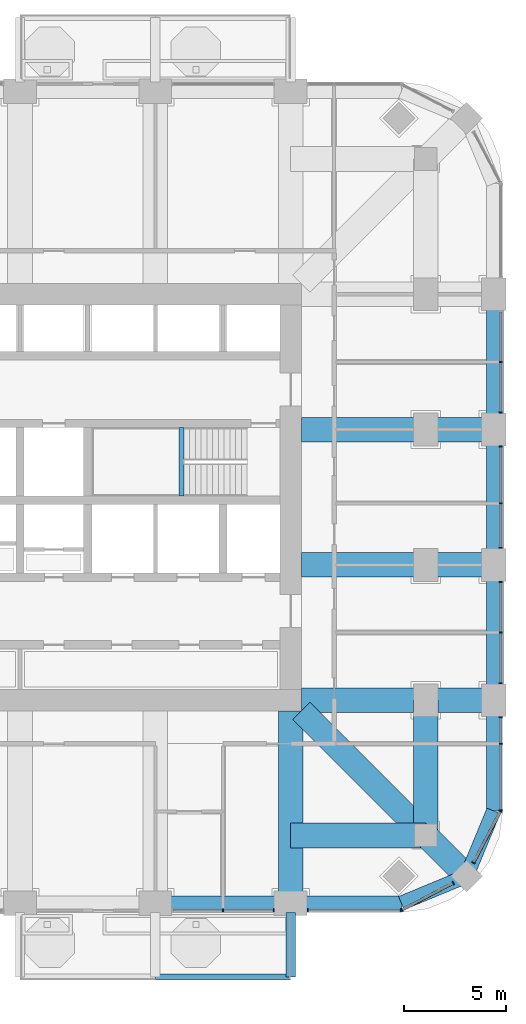
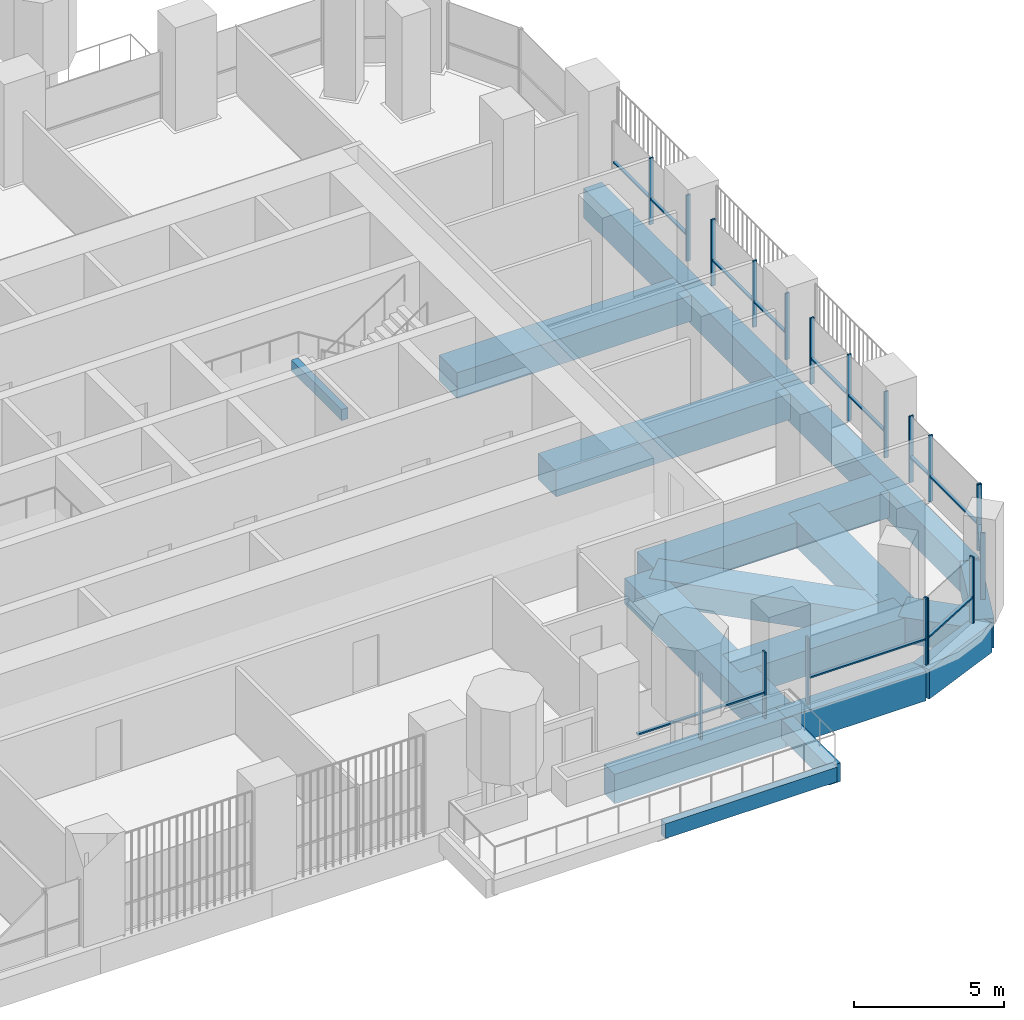
# One storey, part 5 of 20: 32 members, 19 beams, 8 elements without a shape of their own.
"""IFC4 building model written with IfcOpenShell, lengths in metres."""

from ifc_helpers import new_model, si_unit, direction, frame, origin, origin_2d, place, context, subcontext, project, spatial, rectangle, extrude, material, material_profile, profile_set, type_object, element, aggregate, save


model = new_model("IFC4")

# Units and contexts
model_context = context("Model", 3, precision=1e-05, world=origin(), true_north=direction((0.0, 1.0)))
body_context = subcontext(model_context, "Body", "Model", "MODEL_VIEW")
ifc_project = project(units=[si_unit("LENGTHUNIT", "METRE"), si_unit("AREAUNIT", "SQUARE_METRE"), si_unit("VOLUMEUNIT", "CUBIC_METRE"), si_unit("PLANEANGLEUNIT", "RADIAN"), si_unit("MASSUNIT", "GRAM", prefix="KILO")], contexts=[model_context])

# Site, building, storey
site_placement = place(None, origin())
site = spatial("IfcSite", under=ifc_project, at=site_placement, CompositionType="ELEMENT")
building_placement = place(site_placement, origin())
building = spatial("IfcBuilding", under=site, at=building_placement, Name="Cobogo Forest Laboratory Tower", CompositionType="ELEMENT")
storey_placement = place(building_placement, frame((0.0, 0.0, 180.89990234375)))
storey = spatial("IfcBuildingStorey", under=building, at=storey_placement, Name="L41", CompositionType="ELEMENT", Elevation=180.89990234375)

# Beams
ifc_material_1 = material(Name="Concrete HA-40 (C40/50)", Category="concrete")
ifc_material_profile_1 = material_profile(ifc_material_1, rectangle(XDim=0.449951171875, YDim=0.75, at=origin_2d()), Name="RC 450x750")
ifc_profile_set_1 = profile_set([ifc_material_profile_1], Name="Concrete HA-40 (C40/50)")
beam_type_1 = type_object("IfcBeamType", Name="Balcony cantilever beam 450x750", PredefinedType="BEAM", material=ifc_profile_set_1)
beam_1_placement = place(storey_placement, frame((39.60009765625, 2.85009765625, -0.625), z_axis=(0.0, -1.0, 0.0), x_axis=(1.0, 0.0, 0.0)))
element("IfcBeam", 1, at=beam_1_placement, inside=storey, type_object=beam_type_1, Name="CB1 BAL-S1-C3 L41", PredefinedType="BEAM", context=body_context, shape_type="SweptSolid", body=[
    extrude(rectangle(XDim=0.449951171875, YDim=0.75, at=origin_2d()), origin(), (0.0, 0.0, 1.0), 3.150146484375),
])
ifc_material_profile_2 = material_profile(ifc_material_1, rectangle(XDim=0.300048828125, YDim=0.60009765625, at=origin_2d()), Name="RC 300x600")
ifc_profile_set_2 = profile_set([ifc_material_profile_2], Name="Concrete HA-40 (C40/50)")
beam_type_2 = type_object("IfcBeamType", Name="Balcony edge beam 300x600", PredefinedType="BEAM", material=ifc_profile_set_2)
beam_2_placement = place(storey_placement, frame((33.0, -0.300048828125, -0.5498046875), z_axis=(1.0, 0.0, 0.0), x_axis=(0.0, 1.0, 0.0)))
element("IfcBeam", 2, at=beam_2_placement, inside=storey, type_object=beam_type_2, Name="BB1 BAL-S1-T2 L41", PredefinedType="BEAM", context=body_context, shape_type="SweptSolid", body=[
    extrude(rectangle(XDim=0.300048828125, YDim=0.60009765625, at=origin_2d()), origin(), (0.0, 0.0, 1.0), 6.60009765625),
])
ifc_material_profile_3 = material_profile(ifc_material_1, rectangle(XDim=0.25, YDim=0.449951171875, at=origin_2d()), Name="RC 250x450")
ifc_profile_set_3 = profile_set([ifc_material_profile_3], Name="Concrete HA-40 (C40/50)")
beam_type_3 = type_object("IfcBeamType", Name="LB1 landing beam 250x450", PredefinedType="BEAM", material=ifc_profile_set_3)
beam_3_placement = place(storey_placement, frame((34.27001953125, 23.14990234375, 1.675048828125), z_axis=(0.0, 1.0, 0.0), x_axis=(-1.0, 0.0, 0.0)))
element("IfcBeam", 3, at=beam_3_placement, inside=storey, type_object=beam_type_3, Name="Landing beam ST2 L41", PredefinedType="BEAM", context=body_context, shape_type="SweptSolid", body=[
    extrude(rectangle(XDim=0.25, YDim=0.449951171875, at=origin_2d()), origin(), (0.0, 0.0, 1.0), 3.35009765625),
])
ifc_material_profile_4 = material_profile(ifc_material_1, rectangle(XDim=1.199951171875, YDim=1.050048828125, at=origin_2d()), Name="RC 1200x1050")
ifc_profile_set_4 = profile_set([ifc_material_profile_4], Name="Concrete HA-40 (C40/50)")
beam_type_4 = type_object("IfcBeamType", Name="Laboratory floor wide beam 1200x1050", PredefinedType="BEAM", material=ifc_profile_set_4)
for number, where, z_axis, x_axis, name in (
    (4, (39.60009765625, 12.675048828125, -0.824951171875), (0.0, -1.0, 0.0), (1.0, 0.0, 0.0), "RB1 R-7-S L41"),
    (5, (40.125, 13.199951171875, -0.824951171875), (1.0, 0.0, 0.0), (0.0, 1.0, 0.0), "RB1 R-C-E L41"),
    (6, (40.125, 19.800048828125, -0.824951171875), (1.0, 0.0, 0.0), (0.0, 1.0, 0.0), "RB1 R-D-E L41"),
    (7, (40.125, 26.39990234375, -0.824951171875), (1.0, 0.0, 0.0), (0.0, 1.0, 0.0), "RB1 R-E-E L41"),
):
    element("IfcBeam", number, at=place(storey_placement, frame(where, z_axis=z_axis, x_axis=x_axis)), inside=storey, type_object=beam_type_4, Name=name, PredefinedType="BEAM", context=body_context, shape_type="SweptSolid", body=[
        extrude(rectangle(XDim=1.199951171875, YDim=1.050048828125, at=origin_2d()), origin(), (0.0, 0.0, 1.0), 9.375),
    ])
for number, where, z_axis, x_axis, name in (
    (8, (46.199951171875, 6.60009765625, -0.824951171875), (0.0, 1.0, 0.0), (-1.0, 0.0, 0.0), "RB1 G-SE-XC L41"),
    (9, (46.199951171875, 6.60009765625, -0.824951171875), (-1.0, 0.0, 0.0), (0.0, -1.0, 0.0), "RB1 G-SE-YC L41"),
):
    element("IfcBeam", number, at=place(storey_placement, frame(where, z_axis=z_axis, x_axis=x_axis)), inside=storey, type_object=beam_type_4, Name=name, PredefinedType="BEAM", context=body_context, shape_type="SweptSolid", body=[
        extrude(rectangle(XDim=1.199951171875, YDim=1.050048828125, at=origin_2d()), origin(), (0.0, 0.0, 1.0), 6.599853515625),
    ])
beam_4_placement = place(storey_placement, frame((48.181884765625, 4.617919921875, -0.824951171875), z_axis=(-0.707063230743, 0.707150328948, 0.0), x_axis=(-0.707150328948, -0.707063230743, 0.0)))
element("IfcBeam", 10, at=beam_4_placement, inside=storey, type_object=beam_type_4, Name="RB1 G-SE-D1 L41", PredefinedType="BEAM", context=body_context, shape_type="SweptSolid", body=[
    extrude(rectangle(XDim=1.199951171875, YDim=1.050048828125, at=origin_2d()), origin(), (0.0, 0.0, 1.0), 2.802978515625),
])
beam_5_placement = place(storey_placement, frame((46.199951171875, 6.60009765625, -0.824951171875), z_axis=(-0.707106781187, 0.707106781187, 0.0), x_axis=(-0.707106781187, -0.707106781187, 0.0)))
element("IfcBeam", 11, at=beam_5_placement, inside=storey, type_object=beam_type_4, Name="RB1 G-SE-D2 L41", PredefinedType="BEAM", context=body_context, shape_type="SweptSolid", body=[
    extrude(rectangle(XDim=1.199951171875, YDim=1.050048828125, at=origin_2d()), origin(), (0.0, 0.0, 1.0), 8.59130859375),
])

# Curtain wall, members
ifc_material_2 = material(Name="Aluminium curtain wall", Category="aluminium")
curtain_wall_type = type_object("IfcCurtainWallType", Name="CW-2 unitised curtain wall, solar control glazing, laboratory floors zones C and D", PredefinedType="USERDEFINED", material=ifc_material_2)
curtain_wall_1_placement = place(storey_placement, origin())
curtain_wall_1 = element("IfcCurtainWall", 12, at=curtain_wall_1_placement, inside=storey, type_object=curtain_wall_type, Name="Curtain wall 05 L41", ObjectType="UNITISED CURTAIN WALL", PredefinedType="USERDEFINED")
ifc_material_3 = material(Name="Aluminium mullion", Category="aluminium")
ifc_material_profile_5 = material_profile(ifc_material_3, rectangle(XDim=0.06005859375, YDim=0.159912109375, at=origin_2d()), Name="AL 60x160")
ifc_profile_set_5 = profile_set([ifc_material_profile_5], Name="Aluminium mullion")
member_type_1 = type_object("IfcMemberType", Name="MU-1 aluminium mullion 60x160", PredefinedType="MULLION", material=ifc_profile_set_5)
member_1_placement = place(storey_placement, frame((36.300048828125, 2.949951171875, 0.0), z_axis=(0.0, 0.0, 1.0), x_axis=(1.0, 0.0, 0.0)))
member_1 = element("IfcMember", 13, at=member_1_placement, type_object=member_type_1, Name="CW-2 mullion 2", PredefinedType="MULLION", context=body_context, shape_type="SweptSolid", body=[
    extrude(rectangle(XDim=0.06005859375, YDim=0.159912109375, at=origin_2d()), origin(), (0.0, 0.0, 1.0), 2.7001953125),
])
member_2_placement = place(storey_placement, frame((38.77001953125, 2.949951171875, 0.0), z_axis=(0.0, 0.0, 1.0), x_axis=(1.0, 0.0, 0.0)))
member_2 = element("IfcMember", 14, at=member_2_placement, type_object=member_type_1, Name="CW-2 mullion 3", PredefinedType="MULLION", context=body_context, shape_type="SweptSolid", body=[
    extrude(rectangle(XDim=0.06005859375, YDim=0.159912109375, at=origin_2d()), origin(), (0.0, 0.0, 1.0), 2.7001953125),
])

curtain_wall_2_placement = place(storey_placement, origin())
curtain_wall_2 = element("IfcCurtainWall", 15, at=curtain_wall_2_placement, inside=storey, type_object=curtain_wall_type, Name="Curtain wall 06 L41", ObjectType="UNITISED CURTAIN WALL", PredefinedType="USERDEFINED")
member_3_placement = place(storey_placement, frame((40.429931640625, 2.949951171875, 0.0), z_axis=(0.0, 0.0, 1.0), x_axis=(1.0, 0.0, 0.0)))
member_3 = element("IfcMember", 16, at=member_3_placement, type_object=member_type_1, Name="CW-2 mullion 1", PredefinedType="MULLION", context=body_context, shape_type="SweptSolid", body=[
    extrude(rectangle(XDim=0.06005859375, YDim=0.159912109375, at=origin_2d()), origin(), (0.0, 0.0, 1.0), 2.7001953125),
])
member_4_placement = place(storey_placement, frame((44.969970703125, 2.949951171875, 0.0), z_axis=(0.0, 0.0, 1.0), x_axis=(1.0, 0.0, 0.0)))
member_4 = element("IfcMember", 17, at=member_4_placement, type_object=member_type_1, Name="CW-2 mullion 2", PredefinedType="MULLION", context=body_context, shape_type="SweptSolid", body=[
    extrude(rectangle(XDim=0.06005859375, YDim=0.159912109375, at=origin_2d()), origin(), (0.0, 0.0, 1.0), 2.7001953125),
])

curtain_wall_3_placement = place(storey_placement, origin())
curtain_wall_3 = element("IfcCurtainWall", 18, at=curtain_wall_3_placement, inside=storey, type_object=curtain_wall_type, Name="Curtain wall 07 L41", ObjectType="UNITISED CURTAIN WALL", PredefinedType="USERDEFINED")
member_5_placement = place(storey_placement, frame((45.026611328125, 2.9638671875, 0.0), z_axis=(0.0, 0.0, 1.0), x_axis=(0.885686484356, 0.464283804832, 0.0)))
member_5 = element("IfcMember", 19, at=member_5_placement, type_object=member_type_1, Name="CW-2 mullion 1", PredefinedType="MULLION", context=body_context, shape_type="SweptSolid", body=[
    extrude(rectangle(XDim=0.06005859375, YDim=0.159912109375, at=origin_2d()), origin(), (0.0, 0.0, 1.0), 2.7001953125),
])
member_6_placement = place(storey_placement, frame((47.5244140625, 4.2734375, 0.0), z_axis=(0.0, 0.0, 1.0), x_axis=(0.885686484356, 0.464283804832, 0.0)))
member_6 = element("IfcMember", 20, at=member_6_placement, type_object=member_type_1, Name="CW-2 mullion 2", PredefinedType="MULLION", context=body_context, shape_type="SweptSolid", body=[
    extrude(rectangle(XDim=0.06005859375, YDim=0.159912109375, at=origin_2d()), origin(), (0.0, 0.0, 1.0), 2.7001953125),
])

curtain_wall_4_placement = place(storey_placement, origin())
curtain_wall_4 = element("IfcCurtainWall", 21, at=curtain_wall_4_placement, inside=storey, type_object=curtain_wall_type, Name="Curtain wall 08 L41", ObjectType="UNITISED CURTAIN WALL", PredefinedType="USERDEFINED")
member_7_placement = place(storey_placement, frame((48.526611328125, 5.275634765625, 0.0), z_axis=(0.0, 0.0, 1.0), x_axis=(0.464283804832, 0.885686484356, 0.0)))
member_7 = element("IfcMember", 22, at=member_7_placement, type_object=member_type_1, Name="CW-2 mullion 1", PredefinedType="MULLION", context=body_context, shape_type="SweptSolid", body=[
    extrude(rectangle(XDim=0.06005859375, YDim=0.159912109375, at=origin_2d()), origin(), (0.0, 0.0, 1.0), 2.7001953125),
])
member_8_placement = place(storey_placement, frame((49.836181640625, 7.7734375, 0.0), z_axis=(0.0, 0.0, 1.0), x_axis=(0.464283804832, 0.885686484356, 0.0)))
member_8 = element("IfcMember", 23, at=member_8_placement, type_object=member_type_1, Name="CW-2 mullion 2", PredefinedType="MULLION", context=body_context, shape_type="SweptSolid", body=[
    extrude(rectangle(XDim=0.06005859375, YDim=0.159912109375, at=origin_2d()), origin(), (0.0, 0.0, 1.0), 2.7001953125),
])

curtain_wall_5_placement = place(storey_placement, origin())
curtain_wall_5 = element("IfcCurtainWall", 24, at=curtain_wall_5_placement, inside=storey, type_object=curtain_wall_type, Name="Curtain wall 09 L41", ObjectType="UNITISED CURTAIN WALL", PredefinedType="USERDEFINED")
member_9_placement = place(storey_placement, frame((49.85009765625, 7.830078125, 0.0), z_axis=(0.0, 0.0, 1.0), x_axis=(0.0, 1.0, 0.0)))
member_9 = element("IfcMember", 25, at=member_9_placement, type_object=member_type_1, Name="CW-2 mullion 1", PredefinedType="MULLION", context=body_context, shape_type="SweptSolid", body=[
    extrude(rectangle(XDim=0.06005859375, YDim=0.159912109375, at=origin_2d()), origin(), (0.0, 0.0, 1.0), 2.7001953125),
])
member_10_placement = place(storey_placement, frame((49.85009765625, 11.074951171875, 0.0), z_axis=(0.0, 0.0, 1.0), x_axis=(0.0, 1.0, 0.0)))
member_10 = element("IfcMember", 26, at=member_10_placement, type_object=member_type_1, Name="CW-2 mullion 2", PredefinedType="MULLION", context=body_context, shape_type="SweptSolid", body=[
    extrude(rectangle(XDim=0.06005859375, YDim=0.159912109375, at=origin_2d()), origin(), (0.0, 0.0, 1.0), 2.7001953125),
])
member_11_placement = place(storey_placement, frame((49.85009765625, 12.3701171875, 0.0), z_axis=(0.0, 0.0, 1.0), x_axis=(0.0, 1.0, 0.0)))
member_11 = element("IfcMember", 27, at=member_11_placement, type_object=member_type_1, Name="CW-2 mullion 3", PredefinedType="MULLION", context=body_context, shape_type="SweptSolid", body=[
    extrude(rectangle(XDim=0.06005859375, YDim=0.159912109375, at=origin_2d()), origin(), (0.0, 0.0, 1.0), 2.7001953125),
])

curtain_wall_6_placement = place(storey_placement, origin())
curtain_wall_6 = element("IfcCurtainWall", 28, at=curtain_wall_6_placement, inside=storey, type_object=curtain_wall_type, Name="Curtain wall 10 L41", ObjectType="UNITISED CURTAIN WALL", PredefinedType="USERDEFINED")
member_12_placement = place(storey_placement, frame((49.85009765625, 14.030029296875, 0.0), z_axis=(0.0, 0.0, 1.0), x_axis=(0.0, 1.0, 0.0)))
member_12 = element("IfcMember", 29, at=member_12_placement, type_object=member_type_1, Name="CW-2 mullion 1", PredefinedType="MULLION", context=body_context, shape_type="SweptSolid", body=[
    extrude(rectangle(XDim=0.06005859375, YDim=0.159912109375, at=origin_2d()), origin(), (0.0, 0.0, 1.0), 2.7001953125),
])
member_13_placement = place(storey_placement, frame((49.85009765625, 16.5, 0.0), z_axis=(0.0, 0.0, 1.0), x_axis=(0.0, 1.0, 0.0)))
member_13 = element("IfcMember", 30, at=member_13_placement, type_object=member_type_1, Name="CW-2 mullion 2", PredefinedType="MULLION", context=body_context, shape_type="SweptSolid", body=[
    extrude(rectangle(XDim=0.06005859375, YDim=0.159912109375, at=origin_2d()), origin(), (0.0, 0.0, 1.0), 2.7001953125),
])
member_14_placement = place(storey_placement, frame((49.85009765625, 18.969970703125, 0.0), z_axis=(0.0, 0.0, 1.0), x_axis=(0.0, 1.0, 0.0)))
member_14 = element("IfcMember", 31, at=member_14_placement, type_object=member_type_1, Name="CW-2 mullion 3", PredefinedType="MULLION", context=body_context, shape_type="SweptSolid", body=[
    extrude(rectangle(XDim=0.06005859375, YDim=0.159912109375, at=origin_2d()), origin(), (0.0, 0.0, 1.0), 2.7001953125),
])

curtain_wall_7_placement = place(storey_placement, origin())
curtain_wall_7 = element("IfcCurtainWall", 32, at=curtain_wall_7_placement, inside=storey, type_object=curtain_wall_type, Name="Curtain wall 11 L41", ObjectType="UNITISED CURTAIN WALL", PredefinedType="USERDEFINED")
member_15_placement = place(storey_placement, frame((49.85009765625, 20.6298828125, 0.0), z_axis=(0.0, 0.0, 1.0), x_axis=(0.0, 1.0, 0.0)))
member_15 = element("IfcMember", 33, at=member_15_placement, type_object=member_type_1, Name="CW-2 mullion 1", PredefinedType="MULLION", context=body_context, shape_type="SweptSolid", body=[
    extrude(rectangle(XDim=0.06005859375, YDim=0.159912109375, at=origin_2d()), origin(), (0.0, 0.0, 1.0), 2.7001953125),
])
member_16_placement = place(storey_placement, frame((49.85009765625, 22.800048828125, 0.0), z_axis=(0.0, 0.0, 1.0), x_axis=(0.0, 1.0, 0.0)))
member_16 = element("IfcMember", 34, at=member_16_placement, type_object=member_type_1, Name="CW-2 mullion 2", PredefinedType="MULLION", context=body_context, shape_type="SweptSolid", body=[
    extrude(rectangle(XDim=0.06005859375, YDim=0.159912109375, at=origin_2d()), origin(), (0.0, 0.0, 1.0), 2.7001953125),
])
member_17_placement = place(storey_placement, frame((49.85009765625, 25.570068359375, 0.0), z_axis=(0.0, 0.0, 1.0), x_axis=(0.0, 1.0, 0.0)))
member_17 = element("IfcMember", 35, at=member_17_placement, type_object=member_type_1, Name="CW-2 mullion 3", PredefinedType="MULLION", context=body_context, shape_type="SweptSolid", body=[
    extrude(rectangle(XDim=0.06005859375, YDim=0.159912109375, at=origin_2d()), origin(), (0.0, 0.0, 1.0), 2.7001953125),
])

curtain_wall_8_placement = place(storey_placement, origin())
curtain_wall_8 = element("IfcCurtainWall", 36, at=curtain_wall_8_placement, inside=storey, type_object=curtain_wall_type, Name="Curtain wall 12 L41", ObjectType="UNITISED CURTAIN WALL", PredefinedType="USERDEFINED")
member_18_placement = place(storey_placement, frame((49.85009765625, 27.22998046875, 0.0), z_axis=(0.0, 0.0, 1.0), x_axis=(0.0, 1.0, 0.0)))
member_18 = element("IfcMember", 37, at=member_18_placement, type_object=member_type_1, Name="CW-2 mullion 1", PredefinedType="MULLION", context=body_context, shape_type="SweptSolid", body=[
    extrude(rectangle(XDim=0.06005859375, YDim=0.159912109375, at=origin_2d()), origin(), (0.0, 0.0, 1.0), 2.7001953125),
])
member_19_placement = place(storey_placement, frame((49.85009765625, 29.699951171875, 0.0), z_axis=(0.0, 0.0, 1.0), x_axis=(0.0, 1.0, 0.0)))
member_19 = element("IfcMember", 38, at=member_19_placement, type_object=member_type_1, Name="CW-2 mullion 2", PredefinedType="MULLION", context=body_context, shape_type="SweptSolid", body=[
    extrude(rectangle(XDim=0.06005859375, YDim=0.159912109375, at=origin_2d()), origin(), (0.0, 0.0, 1.0), 2.7001953125),
])

# Beams
ifc_material_profile_6 = material_profile(ifc_material_1, rectangle(XDim=0.699951171875, YDim=1.199951171875, at=origin_2d()), Name="RC 700x1200")
ifc_profile_set_6 = profile_set([ifc_material_profile_6], Name="Concrete HA-40 (C40/50)")
beam_type_5 = type_object("IfcBeamType", Name="Perimeter edge beam 700x1200", PredefinedType="BEAM", material=ifc_profile_set_6)
for number, where, z_axis, x_axis, name in (
    (39, (33.0, 3.300048828125, -0.89990234375), (1.0, 0.0, 0.0), (0.0, 1.0, 0.0), "EB1 E-S4 L41"),
    (40, (49.5, 13.199951171875, -0.89990234375), (0.0, 1.0, 0.0), (-1.0, 0.0, 0.0), "EB1 E-E1 L41"),
):
    element("IfcBeam", number, at=place(storey_placement, frame(where, z_axis=z_axis, x_axis=x_axis)), inside=storey, type_object=beam_type_5, Name=name, PredefinedType="BEAM", context=body_context, shape_type="SweptSolid", body=[
        extrude(rectangle(XDim=0.699951171875, YDim=1.199951171875, at=origin_2d()), origin(), (0.0, 0.0, 1.0), 6.60009765625),
    ])
beam_6_placement = place(storey_placement, frame((49.5, 19.800048828125, -0.89990234375), z_axis=(0.0, 1.0, 0.0), x_axis=(-1.0, 0.0, 0.0)))
element("IfcBeam", 41, at=beam_6_placement, inside=storey, type_object=beam_type_5, Name="EB1 E-E2 L41", PredefinedType="BEAM", context=body_context, shape_type="SweptSolid", body=[
    extrude(rectangle(XDim=0.699951171875, YDim=1.199951171875, at=origin_2d()), origin(), (0.0, 0.0, 1.0), 6.599853515625),
])
beam_7_placement = place(storey_placement, frame((49.5, 26.39990234375, -0.89990234375), z_axis=(0.0, 1.0, 0.0), x_axis=(-1.0, 0.0, 0.0)))
element("IfcBeam", 42, at=beam_7_placement, inside=storey, type_object=beam_type_5, Name="EB1 E-E3 L41", PredefinedType="BEAM", context=body_context, shape_type="SweptSolid", body=[
    extrude(rectangle(XDim=0.699951171875, YDim=1.199951171875, at=origin_2d()), origin(), (0.0, 0.0, 1.0), 6.60009765625),
])
beam_8_placement = place(storey_placement, frame((39.60009765625, 3.300048828125, -0.89990234375), z_axis=(1.0, 0.0, 0.0), x_axis=(0.0, 1.0, 0.0)))
element("IfcBeam", 43, at=beam_8_placement, inside=storey, type_object=beam_type_5, Name="EB1 E-SES1 L41", PredefinedType="BEAM", context=body_context, shape_type="SweptSolid", body=[
    extrude(rectangle(XDim=0.699951171875, YDim=1.199951171875, at=origin_2d()), origin(), (0.0, 0.0, 1.0), 5.39990234375),
])
beam_9_placement = place(storey_placement, frame((45.0, 3.300048828125, -0.89990234375), z_axis=(0.923890694089, 0.382656484822, 0.0), x_axis=(-0.382656484822, 0.923890694089, 0.0)))
element("IfcBeam", 44, at=beam_9_placement, inside=storey, type_object=beam_type_5, Name="EB1 E-SES2 L41", PredefinedType="BEAM", context=body_context, shape_type="SweptSolid", body=[
    extrude(rectangle(XDim=0.699951171875, YDim=1.199951171875, at=origin_2d()), origin(), (0.0, 0.0, 1.0), 3.444091796875),
])
beam_10_placement = place(storey_placement, frame((49.5, 13.199951171875, -0.89990234375), z_axis=(0.0, -1.0, 0.0), x_axis=(1.0, 0.0, 0.0)))
element("IfcBeam", 45, at=beam_10_placement, inside=storey, type_object=beam_type_5, Name="EB1 E-SEE1 L41", PredefinedType="BEAM", context=body_context, shape_type="SweptSolid", body=[
    extrude(rectangle(XDim=0.699951171875, YDim=1.199951171875, at=origin_2d()), origin(), (0.0, 0.0, 1.0), 5.39990234375),
])
beam_11_placement = place(storey_placement, frame((49.5, 7.800048828125, -0.89990234375), z_axis=(-0.382691928466, -0.923876013265, 0.0), x_axis=(0.923876013265, -0.382691928466, 0.0)))
element("IfcBeam", 46, at=beam_11_placement, inside=storey, type_object=beam_type_5, Name="EB1 E-SEE2 L41", PredefinedType="BEAM", context=body_context, shape_type="SweptSolid", body=[
    extrude(rectangle(XDim=0.699951171875, YDim=1.199951171875, at=origin_2d()), origin(), (0.0, 0.0, 1.0), 3.4443359375),
])

# Member
ifc_material_4 = material(Name="Aluminium transom", Category="aluminium")
ifc_material_profile_7 = material_profile(ifc_material_4, rectangle(XDim=0.1201171875, YDim=0.06005859375, at=origin_2d()), Name="AL 60x120")
ifc_profile_set_7 = profile_set([ifc_material_profile_7], Name="Aluminium transom")
member_type_2 = type_object("IfcMemberType", Name="TR-1 aluminium transom 60x120", PredefinedType="USERDEFINED", material=ifc_profile_set_7)
member_20_placement = place(storey_placement, frame((33.860107421875, 2.949951171875, 1.050048828125), z_axis=(1.0, 0.0, 0.0), x_axis=(0.0, 1.0, 0.0)))
member_20 = element("IfcMember", 47, at=member_20_placement, type_object=member_type_2, Name="CW-2 transom 1.1", ObjectType="TRANSOM", PredefinedType="USERDEFINED", context=body_context, shape_type="SweptSolid", body=[
    extrude(rectangle(XDim=0.1201171875, YDim=0.06005859375, at=origin_2d()), origin(), (0.0, 0.0, 1.0), 2.409912109375),
])

member_21_placement = place(storey_placement, frame((36.330078125, 2.949951171875, 1.050048828125), z_axis=(1.0, 0.0, 0.0), x_axis=(0.0, 1.0, 0.0)))
member_21 = element("IfcMember", 48, at=member_21_placement, type_object=member_type_2, Name="CW-2 transom 2.1", ObjectType="TRANSOM", PredefinedType="USERDEFINED", context=body_context, shape_type="SweptSolid", body=[
    extrude(rectangle(XDim=0.1201171875, YDim=0.06005859375, at=origin_2d()), origin(), (0.0, 0.0, 1.0), 2.409912109375),
])

aggregate(curtain_wall_1, [member_1, member_2, member_20, member_21])

member_22_placement = place(storey_placement, frame((40.4599609375, 2.949951171875, 1.050048828125), z_axis=(1.0, 0.0, 0.0), x_axis=(0.0, 1.0, 0.0)))
member_22 = element("IfcMember", 49, at=member_22_placement, type_object=member_type_2, Name="CW-2 transom 1.1", ObjectType="TRANSOM", PredefinedType="USERDEFINED", context=body_context, shape_type="SweptSolid", body=[
    extrude(rectangle(XDim=0.1201171875, YDim=0.06005859375, at=origin_2d()), origin(), (0.0, 0.0, 1.0), 4.47998046875),
])

aggregate(curtain_wall_2, [member_3, member_4, member_22])

member_23_placement = place(storey_placement, frame((45.05322265625, 2.977783203125, 1.050048828125), z_axis=(0.885646224078, 0.464360598863, 0.0), x_axis=(-0.464360598863, 0.885646224078, 0.0)))
member_23 = element("IfcMember", 50, at=member_23_placement, type_object=member_type_2, Name="CW-2 transom 1.1", ObjectType="TRANSOM", PredefinedType="USERDEFINED", context=body_context, shape_type="SweptSolid", body=[
    extrude(rectangle(XDim=0.1201171875, YDim=0.06005859375, at=origin_2d()), origin(), (0.0, 0.0, 1.0), 2.76025390625),
])

aggregate(curtain_wall_3, [member_5, member_6, member_23])

member_24_placement = place(storey_placement, frame((48.54052734375, 5.302001953125, 1.050048828125), z_axis=(0.464254846591, 0.88570166389, 0.0), x_axis=(-0.88570166389, 0.464254846591, 0.0)))
member_24 = element("IfcMember", 51, at=member_24_placement, type_object=member_type_2, Name="CW-2 transom 1.1", ObjectType="TRANSOM", PredefinedType="USERDEFINED", context=body_context, shape_type="SweptSolid", body=[
    extrude(rectangle(XDim=0.1201171875, YDim=0.06005859375, at=origin_2d()), origin(), (0.0, 0.0, 1.0), 2.76025390625),
])

aggregate(curtain_wall_4, [member_7, member_8, member_24])

member_25_placement = place(storey_placement, frame((49.85009765625, 7.860107421875, 1.050048828125), z_axis=(0.0, 1.0, 0.0), x_axis=(-1.0, 0.0, 0.0)))
member_25 = element("IfcMember", 52, at=member_25_placement, type_object=member_type_2, Name="CW-2 transom 1.1", ObjectType="TRANSOM", PredefinedType="USERDEFINED", context=body_context, shape_type="SweptSolid", body=[
    extrude(rectangle(XDim=0.1201171875, YDim=0.06005859375, at=origin_2d()), origin(), (0.0, 0.0, 1.0), 3.184814453125),
])

member_26_placement = place(storey_placement, frame((49.85009765625, 11.10498046875, 1.050048828125), z_axis=(0.0, 1.0, 0.0), x_axis=(-1.0, 0.0, 0.0)))
member_26 = element("IfcMember", 53, at=member_26_placement, type_object=member_type_2, Name="CW-2 transom 2.1", ObjectType="TRANSOM", PredefinedType="USERDEFINED", context=body_context, shape_type="SweptSolid", body=[
    extrude(rectangle(XDim=0.1201171875, YDim=0.06005859375, at=origin_2d()), origin(), (0.0, 0.0, 1.0), 1.235107421875),
])

aggregate(curtain_wall_5, [member_9, member_10, member_11, member_25, member_26])

member_27_placement = place(storey_placement, frame((49.85009765625, 14.06005859375, 1.050048828125), z_axis=(0.0, 1.0, 0.0), x_axis=(-1.0, 0.0, 0.0)))
member_27 = element("IfcMember", 54, at=member_27_placement, type_object=member_type_2, Name="CW-2 transom 1.1", ObjectType="TRANSOM", PredefinedType="USERDEFINED", context=body_context, shape_type="SweptSolid", body=[
    extrude(rectangle(XDim=0.1201171875, YDim=0.06005859375, at=origin_2d()), origin(), (0.0, 0.0, 1.0), 2.409912109375),
])

member_28_placement = place(storey_placement, frame((49.85009765625, 16.530029296875, 1.050048828125), z_axis=(0.0, 1.0, 0.0), x_axis=(-1.0, 0.0, 0.0)))
member_28 = element("IfcMember", 55, at=member_28_placement, type_object=member_type_2, Name="CW-2 transom 2.1", ObjectType="TRANSOM", PredefinedType="USERDEFINED", context=body_context, shape_type="SweptSolid", body=[
    extrude(rectangle(XDim=0.1201171875, YDim=0.06005859375, at=origin_2d()), origin(), (0.0, 0.0, 1.0), 2.409912109375),
])

aggregate(curtain_wall_6, [member_12, member_13, member_14, member_27, member_28])

member_29_placement = place(storey_placement, frame((49.85009765625, 20.659912109375, 1.050048828125), z_axis=(0.0, 1.0, 0.0), x_axis=(-1.0, 0.0, 0.0)))
member_29 = element("IfcMember", 56, at=member_29_placement, type_object=member_type_2, Name="CW-2 transom 1.1", ObjectType="TRANSOM", PredefinedType="USERDEFINED", context=body_context, shape_type="SweptSolid", body=[
    extrude(rectangle(XDim=0.1201171875, YDim=0.06005859375, at=origin_2d()), origin(), (0.0, 0.0, 1.0), 2.110107421875),
])

member_30_placement = place(storey_placement, frame((49.85009765625, 22.830078125, 1.050048828125), z_axis=(0.0, 1.0, 0.0), x_axis=(-1.0, 0.0, 0.0)))
member_30 = element("IfcMember", 57, at=member_30_placement, type_object=member_type_2, Name="CW-2 transom 2.1", ObjectType="TRANSOM", PredefinedType="USERDEFINED", context=body_context, shape_type="SweptSolid", body=[
    extrude(rectangle(XDim=0.1201171875, YDim=0.06005859375, at=origin_2d()), origin(), (0.0, 0.0, 1.0), 2.7099609375),
])

aggregate(curtain_wall_7, [member_15, member_16, member_17, member_29, member_30])

member_31_placement = place(storey_placement, frame((49.85009765625, 27.260009765625, 1.050048828125), z_axis=(0.0, 1.0, 0.0), x_axis=(-1.0, 0.0, 0.0)))
member_31 = element("IfcMember", 58, at=member_31_placement, type_object=member_type_2, Name="CW-2 transom 1.1", ObjectType="TRANSOM", PredefinedType="USERDEFINED", context=body_context, shape_type="SweptSolid", body=[
    extrude(rectangle(XDim=0.1201171875, YDim=0.06005859375, at=origin_2d()), origin(), (0.0, 0.0, 1.0), 2.409912109375),
])

member_32_placement = place(storey_placement, frame((49.85009765625, 29.72998046875, 1.050048828125), z_axis=(0.0, 1.0, 0.0), x_axis=(-1.0, 0.0, 0.0)))
member_32 = element("IfcMember", 59, at=member_32_placement, type_object=member_type_2, Name="CW-2 transom 2.1", ObjectType="TRANSOM", PredefinedType="USERDEFINED", context=body_context, shape_type="SweptSolid", body=[
    extrude(rectangle(XDim=0.1201171875, YDim=0.06005859375, at=origin_2d()), origin(), (0.0, 0.0, 1.0), 2.409912109375),
])

aggregate(curtain_wall_8, [member_18, member_19, member_31, member_32])

save(model, "model.ifc")
